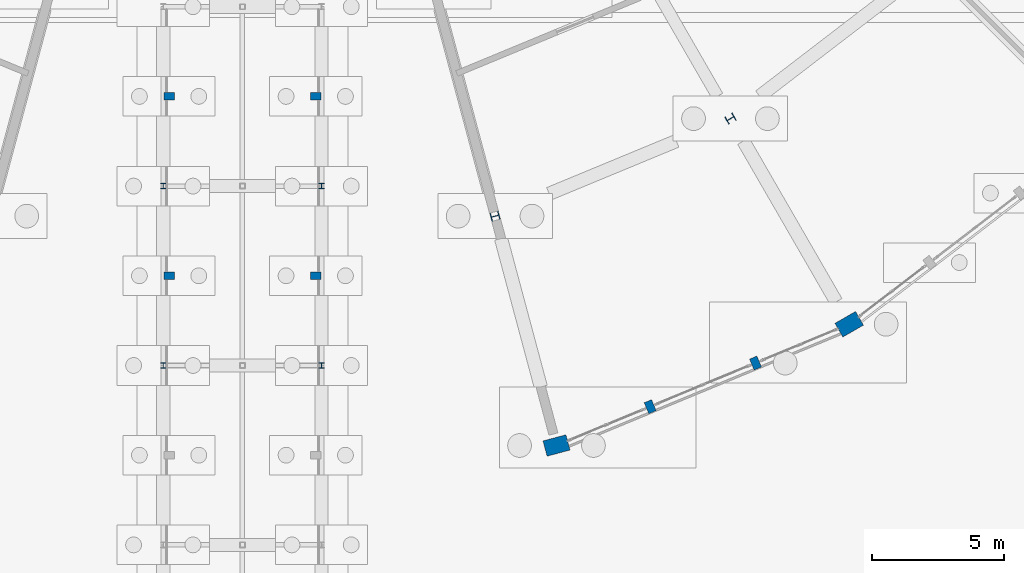
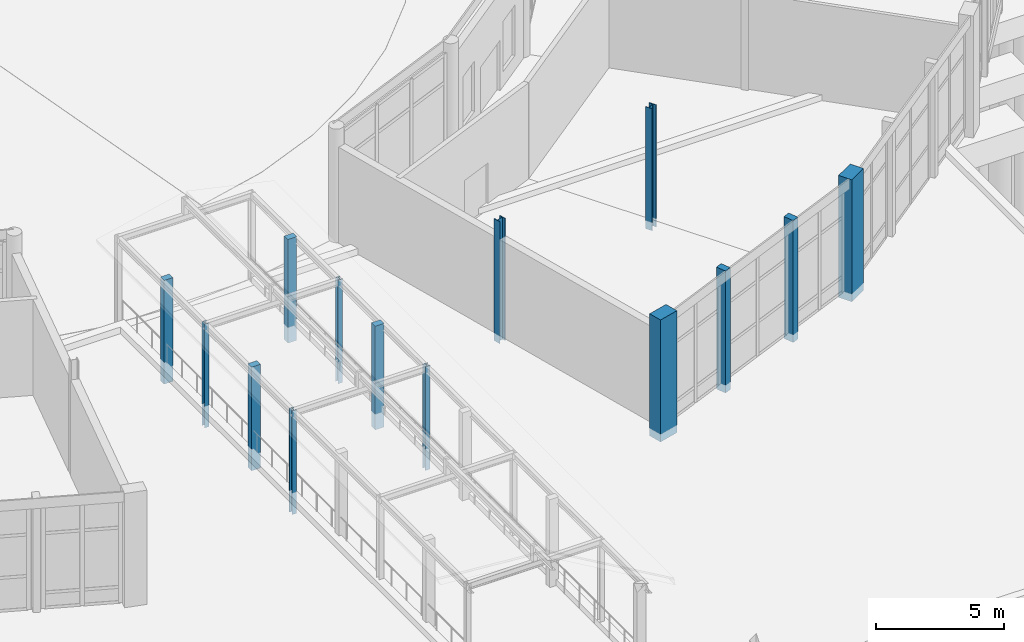
# One storey, part 10 of 137: 14 columns.
"""IFC4 building model written with IfcOpenShell, lengths in metres."""

from ifc_helpers import new_model, si_unit, direction, frame, origin, origin_2d, place, context, subcontext, project, spatial, rectangle, i_section, extrude, material, material_profile, profile_set, type_object, element, save


model = new_model("IFC4")

# Units and contexts
model_context = context("Model", 3, precision=1e-05, world=origin(), true_north=direction((0.0, 1.0)))
body_context = subcontext(model_context, "Body", "Model", "MODEL_VIEW")
ifc_project = project(units=[si_unit("LENGTHUNIT", "METRE"), si_unit("AREAUNIT", "SQUARE_METRE"), si_unit("VOLUMEUNIT", "CUBIC_METRE"), si_unit("PLANEANGLEUNIT", "RADIAN"), si_unit("MASSUNIT", "GRAM", prefix="KILO")], contexts=[model_context])

# Site, building, storey
site_placement = place(None, origin())
site = spatial("IfcSite", under=ifc_project, at=site_placement, CompositionType="ELEMENT")
building_placement = place(site_placement, origin())
building = spatial("IfcBuilding", under=site, at=building_placement, Name="Vondelvale Polytechnic", CompositionType="ELEMENT")
storey_placement = place(building_placement, origin())
storey = spatial("IfcBuildingStorey", under=building, at=storey_placement, Name="L00", CompositionType="ELEMENT", Elevation=0.0)

# Columns
ifc_material_1 = material(Name="Glulam GL18 structural Tasmanian oak (fb = 42 MPa)", Category="wood")
ifc_material_profile_1 = material_profile(ifc_material_1, rectangle(XDim=0.280029296875, YDim=0.39990234375, at=origin_2d()), Name="GL-POST-280x400")
ifc_profile_set_1 = profile_set([ifc_material_profile_1], Name="Glulam GL18 structural Tasmanian oak (fb = 42 MPa)")
column_type_1 = type_object("IfcColumnType", Name="COL-GLULAM-280x400", PredefinedType="PILASTER", material=ifc_profile_set_1)
for number, where, z_axis, x_axis, name in (
    (1, (99.219970703125, 34.0, -0.75), (0.0, 0.0, 1.0), (0.0, 1.0, 0.0), "L00 timber footbridge glulam post (99.22,34.0)"),
    (2, (99.219970703125, 40.800048828125, -0.75), (0.0, 0.0, 1.0), (0.0, 1.0, 0.0), "L00 timber footbridge glulam post (99.22,40.8)"),
    (3, (104.780029296875, 34.0, -0.75), (0.0, 0.0, 1.0), (0.0, 1.0, 0.0), "L00 timber footbridge glulam post (104.78,34.0)"),
    (4, (104.780029296875, 40.800048828125, -0.75), (0.0, 0.0, 1.0), (0.0, 1.0, 0.0), "L00 timber footbridge glulam post (104.78,40.8)"),
):
    element("IfcColumn", number, at=place(storey_placement, frame(where, z_axis=z_axis, x_axis=x_axis)), inside=storey, type_object=column_type_1, Name=name, PredefinedType="PILASTER", context=body_context, shape_type="SweptSolid", body=[
        extrude(rectangle(XDim=0.280029296875, YDim=0.39990234375, at=origin_2d()), origin(), (0.0, 0.0, 1.0), 4.929931640625),
    ])
ifc_material_profile_2 = material_profile(ifc_material_1, rectangle(XDim=0.300048828125, YDim=0.449951171875, at=origin_2d()), Name="GL-POST-300x450")
ifc_profile_set_2 = profile_set([ifc_material_profile_2], Name="Glulam GL18 structural Tasmanian oak (fb = 42 MPa)")
column_type_2 = type_object("IfcColumnType", Name="COL-GLULAM-300x450", PredefinedType="PILASTER", material=ifc_profile_set_2)
for number, where, z_axis, x_axis, name in (
    (5, (117.455810546875, 29.037841796875, -0.39990234375), (0.0, 0.0, 1.0), (0.923879532511, 0.382683432365, 0.0), "L00 ring outer glulam timber post C19-P1"),
    (6, (121.44970703125, 30.6923828125, -0.39990234375), (0.0, 0.0, 1.0), (0.923879532511, 0.382683432365, 0.0), "L00 ring outer glulam timber post C19-P2"),
):
    element("IfcColumn", number, at=place(storey_placement, frame(where, z_axis=z_axis, x_axis=x_axis)), inside=storey, type_object=column_type_2, Name=name, PredefinedType="PILASTER", context=body_context, shape_type="SweptSolid", body=[
        extrude(rectangle(XDim=0.300048828125, YDim=0.449951171875, at=origin_2d()), origin(), (0.0, 0.0, 1.0), 5.7998046875),
    ])
ifc_material_2 = material(Name="Concrete N50 (f'c = 50 MPa)", Category="concrete")
ifc_material_profile_3 = material_profile(ifc_material_2, rectangle(XDim=0.60009765625, YDim=0.89990234375, at=origin_2d()), Name="RC-COL-900x600")
ifc_profile_set_3 = profile_set([ifc_material_profile_3], Name="Concrete N50 (f'c = 50 MPa)")
column_type_3 = type_object("IfcColumnType", Name="COL-RC900x600", PredefinedType="COLUMN", material=ifc_profile_set_3)
for number, where, z_axis, x_axis, name in (
    (7, (113.90576171875, 27.5673828125, -0.39990234375), (0.0, 0.0, 1.0), (-0.258819045103, 0.965925826289, 0.0), "L00 courtyard ring column S19-RO"),
    (8, (125.0, 32.162841796875, -0.39990234375), (0.0, 0.0, 1.0), (-0.5, 0.866025403784, 0.0), "L00 courtyard ring column S20-RO"),
):
    element("IfcColumn", number, at=place(storey_placement, frame(where, z_axis=z_axis, x_axis=x_axis)), inside=storey, type_object=column_type_3, Name=name, PredefinedType="COLUMN", context=body_context, shape_type="SweptSolid", body=[
        extrude(rectangle(XDim=0.60009765625, YDim=0.89990234375, at=origin_2d()), origin(), (0.0, 0.0, 1.0), 5.7998046875),
    ])
ifc_material_3 = material(Name="Steel 300PLUS (fy = 300 MPa)", Category="steel")
ifc_material_profile_4 = material_profile(ifc_material_3, i_section(OverallWidth=0.205078125, OverallDepth=0.2099609375, WebThickness=0.00927734375, FlangeThickness=0.01416015625, FilletRadius=0.011474609375, at=origin_2d()), Name="200UC59.5")
ifc_profile_set_4 = profile_set([ifc_material_profile_4], Name="Steel 300PLUS (fy = 300 MPa)")
column_type_4 = type_object("IfcColumnType", Name="COL-UC200", PredefinedType="COLUMN", material=ifc_profile_set_4)
for number, where, z_axis, x_axis, name in (
    (9, (99.0, 30.60009765625, -0.75), (0.0, 0.0, 1.0), (1.0, 0.0, 0.0), "L00 entrance footbridge pier column (99.0,30.6)"),
    (10, (99.0, 37.39990234375, -0.75), (0.0, 0.0, 1.0), (1.0, 0.0, 0.0), "L00 entrance footbridge pier column (99.0,37.4)"),
    (11, (105.0, 30.60009765625, -0.75), (0.0, 0.0, 1.0), (1.0, 0.0, 0.0), "L00 entrance footbridge pier column (105.0,30.6)"),
    (12, (105.0, 37.39990234375, -0.75), (0.0, 0.0, 1.0), (1.0, 0.0, 0.0), "L00 entrance footbridge pier column (105.0,37.4)"),
):
    element("IfcColumn", number, at=place(storey_placement, frame(where, z_axis=z_axis, x_axis=x_axis)), inside=storey, type_object=column_type_4, Name=name, PredefinedType="COLUMN", context=body_context, shape_type="SweptSolid", body=[
        extrude(i_section(OverallWidth=0.205078125, OverallDepth=0.2099609375, WebThickness=0.00927734375, FlangeThickness=0.01416015625, FilletRadius=0.011474609375, at=origin_2d()), origin(), (0.0, 0.0, 1.0), 4.929931640625),
    ])
ifc_material_profile_5 = material_profile(ifc_material_3, i_section(OverallWidth=0.30908203125, OverallDepth=0.321044921875, WebThickness=0.013916015625, FlangeThickness=0.021728515625, FilletRadius=0.0166015625, at=origin_2d()), Name="310UC137")
ifc_profile_set_5 = profile_set([ifc_material_profile_5], Name="Steel 300PLUS (fy = 300 MPa)")
column_type_5 = type_object("IfcColumnType", Name="COL-UC310M", PredefinedType="COLUMN", material=ifc_profile_set_5)
for number, where, z_axis, x_axis, name in (
    (13, (111.576416015625, 36.2607421875, -0.39990234375), (0.0, 0.0, 1.0), (-0.258819045103, 0.965925826289, 0.0), "L00 courtyard ring column S19-RM"),
    (14, (120.5, 39.95703125, -0.39990234375), (0.0, 0.0, 1.0), (-0.5, 0.866025403784, 0.0), "L00 courtyard ring column S20-RM"),
):
    element("IfcColumn", number, at=place(storey_placement, frame(where, z_axis=z_axis, x_axis=x_axis)), inside=storey, type_object=column_type_5, Name=name, PredefinedType="COLUMN", context=body_context, shape_type="SweptSolid", body=[
        extrude(i_section(OverallWidth=0.30908203125, OverallDepth=0.321044921875, WebThickness=0.013916015625, FlangeThickness=0.021728515625, FilletRadius=0.0166015625, at=origin_2d()), origin(), (0.0, 0.0, 1.0), 5.7998046875),
    ])

save(model, "model.ifc")
